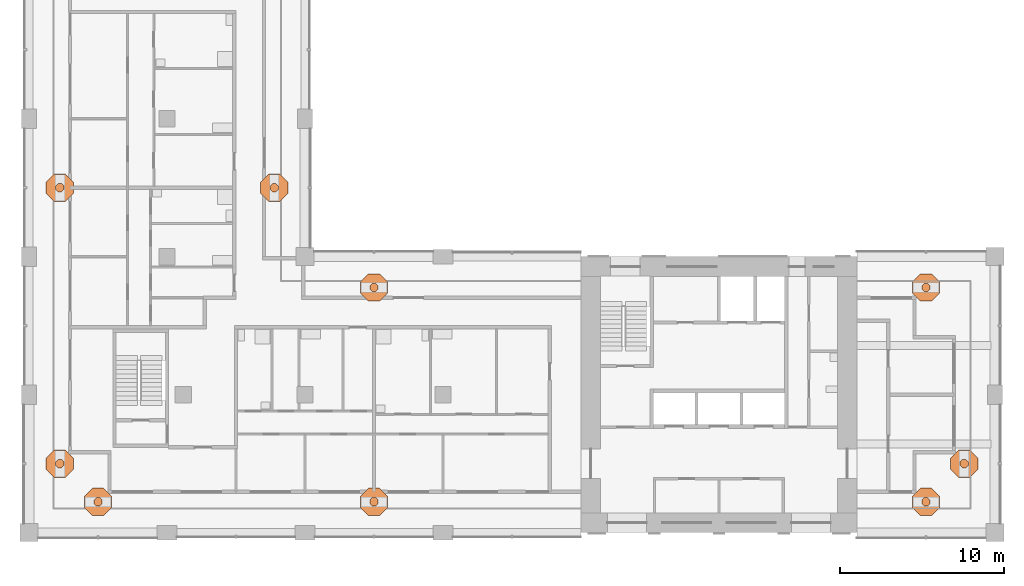
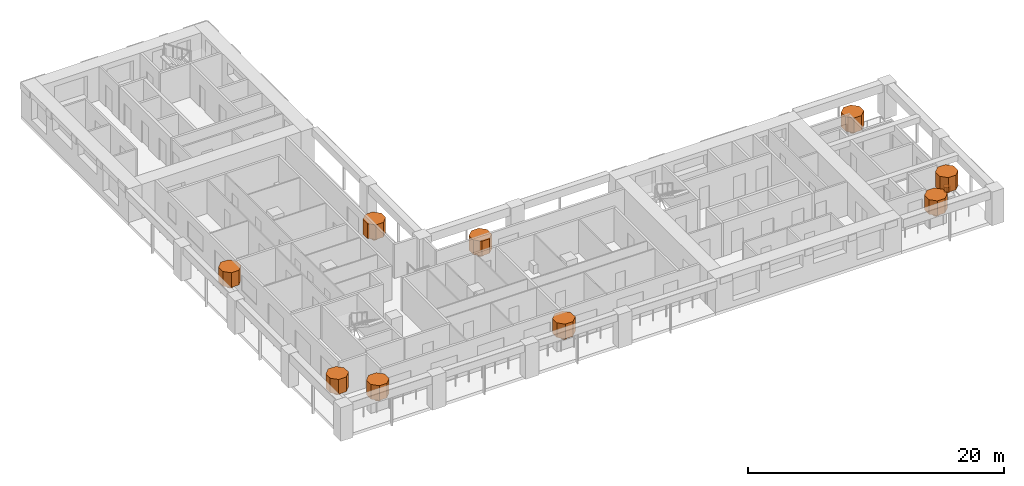
# One storey, part 13 of 13: 18 geographic elements.
"""IFC4 building model written with IfcOpenShell, lengths in metres."""

import ifcopenshell
import ifcopenshell.guid

model = None  # the IFC model being written
_history = None  # IfcOwnerHistory: only IFC2X3 demands one
_inside = {}  # id of a spatial element -> (the spatial element, [elements in it])
_under = {}  # id of a project, library or spatial element -> (it, [spatial elements below it])
_declared = {}  # id of a project -> (the project, [libraries it declares])
_typed = {}  # id of a type object -> (the type object, [elements of that type])
_made_of = {}  # id of a material, layer set ... -> (it, [elements and type objects made of it])


def new_model(schema):
    """Start an empty IFC model of exactly this schema.

    Asked for "IFC4X3", IfcOpenShell would pick the latest addendum, in which some entities
    have other attributes; the version numbers below select the first issue.
    IFC2X3 requires an IfcOwnerHistory on every rooted entity: one is made here for all.
    """
    global model, _history
    if schema == "IFC4X3":
        model = ifcopenshell.file(schema_version=(4, 3, 0, 0))
    else:
        model = ifcopenshell.file(schema=schema)
    _inside.clear()
    _under.clear()
    _declared.clear()
    _typed.clear()
    _made_of.clear()
    _history = None
    if model.schema == "IFC2X3":
        org = make("IfcOrganization", Name="unknown")
        user = make(
            "IfcPersonAndOrganization",
            ThePerson=make("IfcPerson", FamilyName="unknown"),
            TheOrganization=org,
        )
        app = make(
            "IfcApplication",
            ApplicationDeveloper=org,
            Version="unknown",
            ApplicationFullName="unknown",
            ApplicationIdentifier="unknown",
        )
        _history = make(
            "IfcOwnerHistory",
            OwningUser=user,
            OwningApplication=app,
            ChangeAction="ADDED",
            CreationDate=0,
        )
    return model


def make(cls, **values):
    """One entity of the class cls with the attributes given. An attribute that is None is left unset."""
    return model.create_entity(
        cls, **{name: value for name, value in values.items() if value is not None}
    )


def rooted(cls, **values):
    """An entity with a GlobalId (a new one), such as an element, a storey or a relation."""
    return make(cls, GlobalId=ifcopenshell.guid.new(), OwnerHistory=_history, **values)


def si_unit(unit_type, name, prefix=None):
    """IfcSIUnit, for example si_unit("LENGTHUNIT", "METRE", prefix="MILLI")."""
    return make("IfcSIUnit", UnitType=unit_type, Prefix=prefix, Name=name)


def assignment(units):
    """IfcUnitAssignment: the units of a project."""
    return None if units is None else make("IfcUnitAssignment", Units=units)


def point(xyz):
    """IfcCartesianPoint."""
    return None if xyz is None else make("IfcCartesianPoint", Coordinates=xyz)


def direction(xyz):
    """IfcDirection."""
    return None if xyz is None else make("IfcDirection", DirectionRatios=xyz)


def frame(location, z_axis=None, x_axis=None):
    """IfcAxis2Placement3D, a coordinate frame: its origin and axes. An axis left out is left unset."""
    return make(
        "IfcAxis2Placement3D",
        Location=point(location),
        Axis=direction(z_axis),
        RefDirection=direction(x_axis),
    )


def origin():
    """The frame at (0, 0, 0) with its axes left unset."""
    return frame((0.0, 0.0, 0.0))


def place(relative_to, where):
    """IfcLocalPlacement: puts the frame where relative to a parent placement (None: the world)."""
    return make(
        "IfcLocalPlacement", PlacementRelTo=relative_to, RelativePlacement=where
    )


def context(
    kind, dimensions, precision=None, world=None, true_north=None, identifier=None
):
    """IfcGeometricRepresentationContext, for example the 3D "Model" context."""
    return make(
        "IfcGeometricRepresentationContext",
        ContextIdentifier=identifier,
        ContextType=kind,
        CoordinateSpaceDimension=dimensions,
        Precision=precision,
        WorldCoordinateSystem=world,
        TrueNorth=true_north,
    )


def subcontext(parent, identifier, kind, view, scale=None):
    """IfcGeometricRepresentationSubContext, for example "Body" below "Model"."""
    return make(
        "IfcGeometricRepresentationSubContext",
        ContextIdentifier=identifier,
        ContextType=kind,
        ParentContext=parent,
        TargetScale=scale,
        TargetView=view,
    )


def project(units=None, contexts=None):
    """IfcProject with its units and contexts."""
    return rooted(
        "IfcProject",
        Name="project",
        RepresentationContexts=contexts,
        UnitsInContext=assignment(units),
    )


def spatial(cls, under=None, at=None, **own):
    """A site, building, storey or space (cls), placed at a placement, below another one or the project."""
    s = rooted(cls, ObjectPlacement=at, **own)
    if under is not None:
        _under.setdefault(under.id(), (under, []))[1].append(s)
    return s


def polyline(points):
    """IfcPolyline through the points."""
    return make("IfcPolyline", Points=[point(p) for p in points])


def outline(outer, holes=None, kind="AREA"):
    """IfcArbitraryClosedProfileDef: a profile drawn as a closed curve; with holes, ...WithVoids."""
    if holes is None:
        return make("IfcArbitraryClosedProfileDef", ProfileType=kind, OuterCurve=outer)
    return make(
        "IfcArbitraryProfileDefWithVoids",
        ProfileType=kind,
        OuterCurve=outer,
        InnerCurves=holes,
    )


def extrude(swept, where, along, depth):
    """IfcExtrudedAreaSolid: the profile swept, set in the frame where, extruded along a direction by depth."""
    return make(
        "IfcExtrudedAreaSolid",
        SweptArea=swept,
        Position=where,
        ExtrudedDirection=direction(along),
        Depth=depth,
    )


def shape(context_of_items, identifier, shape_type, items):
    """IfcShapeRepresentation: the items that make up one representation, for example the "Body"."""
    return make(
        "IfcShapeRepresentation",
        ContextOfItems=context_of_items,
        RepresentationIdentifier=identifier,
        RepresentationType=shape_type,
        Items=items,
    )


def material(Name=None, Category=None):
    """IfcMaterial."""
    return make("IfcMaterial", Name=Name, Category=Category)


def made_of(thing, what):
    """Note that an element or type object is made of a material, layer set ...; save() writes the relation."""
    if what is not None:
        _made_of.setdefault(what.id(), (what, []))[1].append(thing)
    return thing


def element(
    cls,
    number,
    at=None,
    inside=None,
    cuts=None,
    type_object=None,
    material=None,
    context=None,
    identifier="Body",
    shape_type=None,
    held_by="IfcProductDefinitionShape",
    body=None,
    shapes=None,
    **own,
):
    """One element of the class cls, such as IfcWall. Its Tag is "e" and its number.

    at: its placement. inside: the storey or other place that contains it. cuts: it is an
    opening in that element (IfcRelVoidsElement). A single representation is given by context,
    identifier, shape_type and body (its items); several are given by shapes. held_by: the class
    of the entity that holds the representations. save() writes the other relations.
    """
    e = rooted(cls, Tag="e%d" % number, ObjectPlacement=at, **own)
    if body is not None:
        shapes = [shape(context, identifier, shape_type, body)]
    if shapes is not None:
        e.Representation = make(held_by, Representations=shapes)
    if inside is not None:
        _inside.setdefault(inside.id(), (inside, []))[1].append(e)
    if cuts is not None:
        rooted(
            "IfcRelVoidsElement", RelatingBuildingElement=cuts, RelatedOpeningElement=e
        )
    if type_object is not None:
        _typed.setdefault(type_object.id(), (type_object, []))[1].append(e)
    return made_of(e, material)


def aggregate(whole, parts):
    """IfcRelAggregates: a whole, such as a stair, and the parts it consists of."""
    return rooted("IfcRelAggregates", RelatingObject=whole, RelatedObjects=parts)


def save(model, path):
    """Write the relations noted so far, then the file.

    IfcRelAggregates (storeys below a building ...), IfcRelContainedInSpatialStructure (elements
    in a storey), IfcRelDefinesByType, IfcRelAssociatesMaterial and IfcRelDeclares: one each for
    every whole, place, type object, material and project.
    """
    for whole, parts in _under.values():
        aggregate(whole, parts)
    for where, things in _inside.values():
        rooted(
            "IfcRelContainedInSpatialStructure",
            RelatedElements=things,
            RelatingStructure=where,
        )
    for kind, things in _typed.values():
        rooted("IfcRelDefinesByType", RelatedObjects=things, RelatingType=kind)
    for what, things in _made_of.values():
        rooted("IfcRelAssociatesMaterial", RelatedObjects=things, RelatingMaterial=what)
    for by, libraries in _declared.values():
        rooted("IfcRelDeclares", RelatingContext=by, RelatedDefinitions=libraries)
    model.write(path)


model = new_model("IFC4")

# Units and contexts
model_context = context("Model", 3, precision=1e-05, world=origin(), true_north=direction((0.0, 1.0)))
body_context = subcontext(model_context, "Body", "Model", "MODEL_VIEW")
ifc_project = project(units=[si_unit("LENGTHUNIT", "METRE"), si_unit("AREAUNIT", "SQUARE_METRE"), si_unit("VOLUMEUNIT", "CUBIC_METRE"), si_unit("PLANEANGLEUNIT", "RADIAN"), si_unit("MASSUNIT", "GRAM", prefix="KILO")], contexts=[model_context])

# Site, building, storey
site_placement = place(None, origin())
site = spatial("IfcSite", under=ifc_project, at=site_placement, CompositionType="ELEMENT")
building_placement = place(site_placement, origin())
building = spatial("IfcBuilding", under=site, at=building_placement, Name="Vermilion Gate Residences", CompositionType="ELEMENT")
storey_placement = place(building_placement, frame((0.0, 0.0, 186.199951171875)))
storey = spatial("IfcBuildingStorey", under=building, at=storey_placement, Name="L48", CompositionType="ELEMENT", Elevation=186.199951171875)

# Geographic elements
ifc_material = material(Name="Foliage")
geographic_element_1_placement = place(storey_placement, frame((0.0, 0.0, 0.900146484375)))
element("IfcGeographicElement", 1, at=geographic_element_1_placement, inside=storey, material=ifc_material, Name="Tree (black pine)", ObjectType="TREE", PredefinedType="USERDEFINED", context=body_context, shape_type="SweptSolid", body=[
    extrude(outline(polyline([(12.85400390625, 10.380126953125), (12.705078125, 10.529052734375), (12.494873046875, 10.529052734375), (12.345947265625, 10.380126953125), (12.345947265625, 10.169921875), (12.494873046875, 10.02099609375), (12.705078125, 10.02099609375), (12.85400390625, 10.169921875), (12.85400390625, 10.380126953125)])), origin(), (0.0, 0.0, 1.0), 0.52001953125),
])
geographic_element_2_placement = place(storey_placement, frame((0.0, 0.0, 1.420166015625)))
element("IfcGeographicElement", 2, at=geographic_element_2_placement, inside=storey, material=ifc_material, Name="Tree crown (black pine)", ObjectType="TREE", PredefinedType="USERDEFINED", context=body_context, shape_type="SweptSolid", body=[
    extrude(outline(polyline([(13.431396484375, 10.619384765625), (12.9443359375, 11.1064453125), (12.255615234375, 11.1064453125), (11.7685546875, 10.619384765625), (11.7685546875, 9.9306640625), (12.255615234375, 9.443603515625), (12.9443359375, 9.443603515625), (13.431396484375, 9.9306640625), (13.431396484375, 10.619384765625)])), origin(), (0.0, 0.0, 1.0), 1.39990234375),
])
geographic_element_3_placement = place(storey_placement, frame((0.0, 0.0, 0.900146484375)))
element("IfcGeographicElement", 3, at=geographic_element_3_placement, inside=storey, material=ifc_material, Name="Tree (maple)", ObjectType="TREE", PredefinedType="USERDEFINED", context=body_context, shape_type="SweptSolid", body=[
    extrude(outline(polyline([(29.654052734375, 10.380126953125), (29.505126953125, 10.529052734375), (29.294921875, 10.529052734375), (29.14599609375, 10.380126953125), (29.14599609375, 10.169921875), (29.294921875, 10.02099609375), (29.505126953125, 10.02099609375), (29.654052734375, 10.169921875), (29.654052734375, 10.380126953125)])), origin(), (0.0, 0.0, 1.0), 0.52001953125),
])
geographic_element_4_placement = place(storey_placement, frame((0.0, 0.0, 1.420166015625)))
element("IfcGeographicElement", 4, at=geographic_element_4_placement, inside=storey, material=ifc_material, Name="Tree crown (maple)", ObjectType="TREE", PredefinedType="USERDEFINED", context=body_context, shape_type="SweptSolid", body=[
    extrude(outline(polyline([(30.2314453125, 10.619384765625), (29.744384765625, 11.1064453125), (29.0556640625, 11.1064453125), (28.568603515625, 10.619384765625), (28.568603515625, 9.9306640625), (29.0556640625, 9.443603515625), (29.744384765625, 9.443603515625), (30.2314453125, 9.9306640625), (30.2314453125, 10.619384765625)])), origin(), (0.0, 0.0, 1.0), 1.39990234375),
])
geographic_element_5_placement = place(storey_placement, frame((0.0, 0.0, 0.900146484375)))
element("IfcGeographicElement", 5, at=geographic_element_5_placement, inside=storey, material=ifc_material, Name="Tree (maple)", ObjectType="TREE", PredefinedType="USERDEFINED", context=body_context, shape_type="SweptSolid", body=[
    extrude(outline(polyline([(63.254150390625, 10.380126953125), (63.105224609375, 10.529052734375), (62.894775390625, 10.529052734375), (62.745849609375, 10.380126953125), (62.745849609375, 10.169921875), (62.894775390625, 10.02099609375), (63.105224609375, 10.02099609375), (63.254150390625, 10.169921875), (63.254150390625, 10.380126953125)])), origin(), (0.0, 0.0, 1.0), 0.52001953125),
])
geographic_element_6_placement = place(storey_placement, frame((0.0, 0.0, 1.420166015625)))
element("IfcGeographicElement", 6, at=geographic_element_6_placement, inside=storey, material=ifc_material, Name="Tree crown (maple)", ObjectType="TREE", PredefinedType="USERDEFINED", context=body_context, shape_type="SweptSolid", body=[
    extrude(outline(polyline([(63.83154296875, 10.619384765625), (63.344482421875, 11.1064453125), (62.655517578125, 11.1064453125), (62.16845703125, 10.619384765625), (62.16845703125, 9.9306640625), (62.655517578125, 9.443603515625), (63.344482421875, 9.443603515625), (63.83154296875, 9.9306640625), (63.83154296875, 10.619384765625)])), origin(), (0.0, 0.0, 1.0), 1.39990234375),
])
geographic_element_7_placement = place(storey_placement, frame((0.0, 0.0, 0.900146484375)))
element("IfcGeographicElement", 7, at=geographic_element_7_placement, inside=storey, material=ifc_material, Name="Tree (black pine)", ObjectType="TREE", PredefinedType="USERDEFINED", context=body_context, shape_type="SweptSolid", body=[
    extrude(outline(polyline([(65.5791015625, 12.705078125), (65.43017578125, 12.85400390625), (65.2197265625, 12.85400390625), (65.07080078125, 12.705078125), (65.07080078125, 12.494873046875), (65.2197265625, 12.345947265625), (65.43017578125, 12.345947265625), (65.5791015625, 12.494873046875), (65.5791015625, 12.705078125)])), origin(), (0.0, 0.0, 1.0), 0.52001953125),
])
geographic_element_8_placement = place(storey_placement, frame((0.0, 0.0, 1.420166015625)))
element("IfcGeographicElement", 8, at=geographic_element_8_placement, inside=storey, material=ifc_material, Name="Tree crown (black pine)", ObjectType="TREE", PredefinedType="USERDEFINED", context=body_context, shape_type="SweptSolid", body=[
    extrude(outline(polyline([(66.156494140625, 12.9443359375), (65.66943359375, 13.431396484375), (64.980712890625, 13.431396484375), (64.493408203125, 12.9443359375), (64.493408203125, 12.255615234375), (64.980712890625, 11.7685546875), (65.66943359375, 11.7685546875), (66.156494140625, 12.255615234375), (66.156494140625, 12.9443359375)])), origin(), (0.0, 0.0, 1.0), 1.39990234375),
])
geographic_element_9_placement = place(storey_placement, frame((0.0, 0.0, 0.900146484375)))
element("IfcGeographicElement", 9, at=geographic_element_9_placement, inside=storey, material=ifc_material, Name="Tree (maple)", ObjectType="TREE", PredefinedType="USERDEFINED", context=body_context, shape_type="SweptSolid", body=[
    extrude(outline(polyline([(29.654052734375, 23.43017578125), (29.505126953125, 23.5791015625), (29.294921875, 23.5791015625), (29.14599609375, 23.43017578125), (29.14599609375, 23.2197265625), (29.294921875, 23.07080078125), (29.505126953125, 23.07080078125), (29.654052734375, 23.2197265625), (29.654052734375, 23.43017578125)])), origin(), (0.0, 0.0, 1.0), 0.52001953125),
])
geographic_element_10_placement = place(storey_placement, frame((0.0, 0.0, 1.420166015625)))
element("IfcGeographicElement", 10, at=geographic_element_10_placement, inside=storey, material=ifc_material, Name="Tree crown (maple)", ObjectType="TREE", PredefinedType="USERDEFINED", context=body_context, shape_type="SweptSolid", body=[
    extrude(outline(polyline([(30.2314453125, 23.66943359375), (29.744384765625, 24.156494140625), (29.0556640625, 24.156494140625), (28.568603515625, 23.66943359375), (28.568603515625, 22.980712890625), (29.0556640625, 22.493408203125), (29.744384765625, 22.493408203125), (30.2314453125, 22.980712890625), (30.2314453125, 23.66943359375)])), origin(), (0.0, 0.0, 1.0), 1.39990234375),
])
geographic_element_11_placement = place(storey_placement, frame((0.0, 0.0, 0.900146484375)))
element("IfcGeographicElement", 11, at=geographic_element_11_placement, inside=storey, material=ifc_material, Name="Tree (maple)", ObjectType="TREE", PredefinedType="USERDEFINED", context=body_context, shape_type="SweptSolid", body=[
    extrude(outline(polyline([(63.254150390625, 23.43017578125), (63.105224609375, 23.5791015625), (62.894775390625, 23.5791015625), (62.745849609375, 23.43017578125), (62.745849609375, 23.2197265625), (62.894775390625, 23.07080078125), (63.105224609375, 23.07080078125), (63.254150390625, 23.2197265625), (63.254150390625, 23.43017578125)])), origin(), (0.0, 0.0, 1.0), 0.52001953125),
])
geographic_element_12_placement = place(storey_placement, frame((0.0, 0.0, 1.420166015625)))
element("IfcGeographicElement", 12, at=geographic_element_12_placement, inside=storey, material=ifc_material, Name="Tree crown (maple)", ObjectType="TREE", PredefinedType="USERDEFINED", context=body_context, shape_type="SweptSolid", body=[
    extrude(outline(polyline([(63.83154296875, 23.66943359375), (63.344482421875, 24.156494140625), (62.655517578125, 24.156494140625), (62.16845703125, 23.66943359375), (62.16845703125, 22.980712890625), (62.655517578125, 22.493408203125), (63.344482421875, 22.493408203125), (63.83154296875, 22.980712890625), (63.83154296875, 23.66943359375)])), origin(), (0.0, 0.0, 1.0), 1.39990234375),
])
geographic_element_13_placement = place(storey_placement, frame((0.0, 0.0, 0.900146484375)))
element("IfcGeographicElement", 13, at=geographic_element_13_placement, inside=storey, material=ifc_material, Name="Tree (maple)", ObjectType="TREE", PredefinedType="USERDEFINED", context=body_context, shape_type="SweptSolid", body=[
    extrude(outline(polyline([(23.5791015625, 29.505126953125), (23.43017578125, 29.654052734375), (23.2197265625, 29.654052734375), (23.07080078125, 29.505126953125), (23.07080078125, 29.294921875), (23.2197265625, 29.14599609375), (23.43017578125, 29.14599609375), (23.5791015625, 29.294921875), (23.5791015625, 29.505126953125)])), origin(), (0.0, 0.0, 1.0), 0.52001953125),
])
geographic_element_14_placement = place(storey_placement, frame((0.0, 0.0, 1.420166015625)))
element("IfcGeographicElement", 14, at=geographic_element_14_placement, inside=storey, material=ifc_material, Name="Tree crown (maple)", ObjectType="TREE", PredefinedType="USERDEFINED", context=body_context, shape_type="SweptSolid", body=[
    extrude(outline(polyline([(24.156494140625, 29.744384765625), (23.66943359375, 30.2314453125), (22.980712890625, 30.2314453125), (22.493408203125, 29.744384765625), (22.493408203125, 29.0556640625), (22.980712890625, 28.568603515625), (23.66943359375, 28.568603515625), (24.156494140625, 29.0556640625), (24.156494140625, 29.744384765625)])), origin(), (0.0, 0.0, 1.0), 1.39990234375),
])
geographic_element_15_placement = place(storey_placement, frame((0.0, 0.0, 0.900146484375)))
element("IfcGeographicElement", 15, at=geographic_element_15_placement, inside=storey, material=ifc_material, Name="Tree (black pine)", ObjectType="TREE", PredefinedType="USERDEFINED", context=body_context, shape_type="SweptSolid", body=[
    extrude(outline(polyline([(10.529052734375, 12.705078125), (10.380126953125, 12.85400390625), (10.169921875, 12.85400390625), (10.02099609375, 12.705078125), (10.02099609375, 12.494873046875), (10.169921875, 12.345947265625), (10.380126953125, 12.345947265625), (10.529052734375, 12.494873046875), (10.529052734375, 12.705078125)])), origin(), (0.0, 0.0, 1.0), 0.52001953125),
])
geographic_element_16_placement = place(storey_placement, frame((0.0, 0.0, 1.420166015625)))
element("IfcGeographicElement", 16, at=geographic_element_16_placement, inside=storey, material=ifc_material, Name="Tree crown (black pine)", ObjectType="TREE", PredefinedType="USERDEFINED", context=body_context, shape_type="SweptSolid", body=[
    extrude(outline(polyline([(11.1064453125, 12.9443359375), (10.619384765625, 13.431396484375), (9.9306640625, 13.431396484375), (9.443603515625, 12.9443359375), (9.443603515625, 12.255615234375), (9.9306640625, 11.7685546875), (10.619384765625, 11.7685546875), (11.1064453125, 12.255615234375), (11.1064453125, 12.9443359375)])), origin(), (0.0, 0.0, 1.0), 1.39990234375),
])
geographic_element_17_placement = place(storey_placement, frame((0.0, 0.0, 0.900146484375)))
element("IfcGeographicElement", 17, at=geographic_element_17_placement, inside=storey, material=ifc_material, Name="Tree (maple)", ObjectType="TREE", PredefinedType="USERDEFINED", context=body_context, shape_type="SweptSolid", body=[
    extrude(outline(polyline([(10.529052734375, 29.505126953125), (10.380126953125, 29.654052734375), (10.169921875, 29.654052734375), (10.02099609375, 29.505126953125), (10.02099609375, 29.294921875), (10.169921875, 29.14599609375), (10.380126953125, 29.14599609375), (10.529052734375, 29.294921875), (10.529052734375, 29.505126953125)])), origin(), (0.0, 0.0, 1.0), 0.52001953125),
])
geographic_element_18_placement = place(storey_placement, frame((0.0, 0.0, 1.420166015625)))
element("IfcGeographicElement", 18, at=geographic_element_18_placement, inside=storey, material=ifc_material, Name="Tree crown (maple)", ObjectType="TREE", PredefinedType="USERDEFINED", context=body_context, shape_type="SweptSolid", body=[
    extrude(outline(polyline([(11.1064453125, 29.744384765625), (10.619384765625, 30.2314453125), (9.9306640625, 30.2314453125), (9.443603515625, 29.744384765625), (9.443603515625, 29.0556640625), (9.9306640625, 28.568603515625), (10.619384765625, 28.568603515625), (11.1064453125, 29.0556640625), (11.1064453125, 29.744384765625)])), origin(), (0.0, 0.0, 1.0), 1.39990234375),
])

save(model, "model.ifc")
